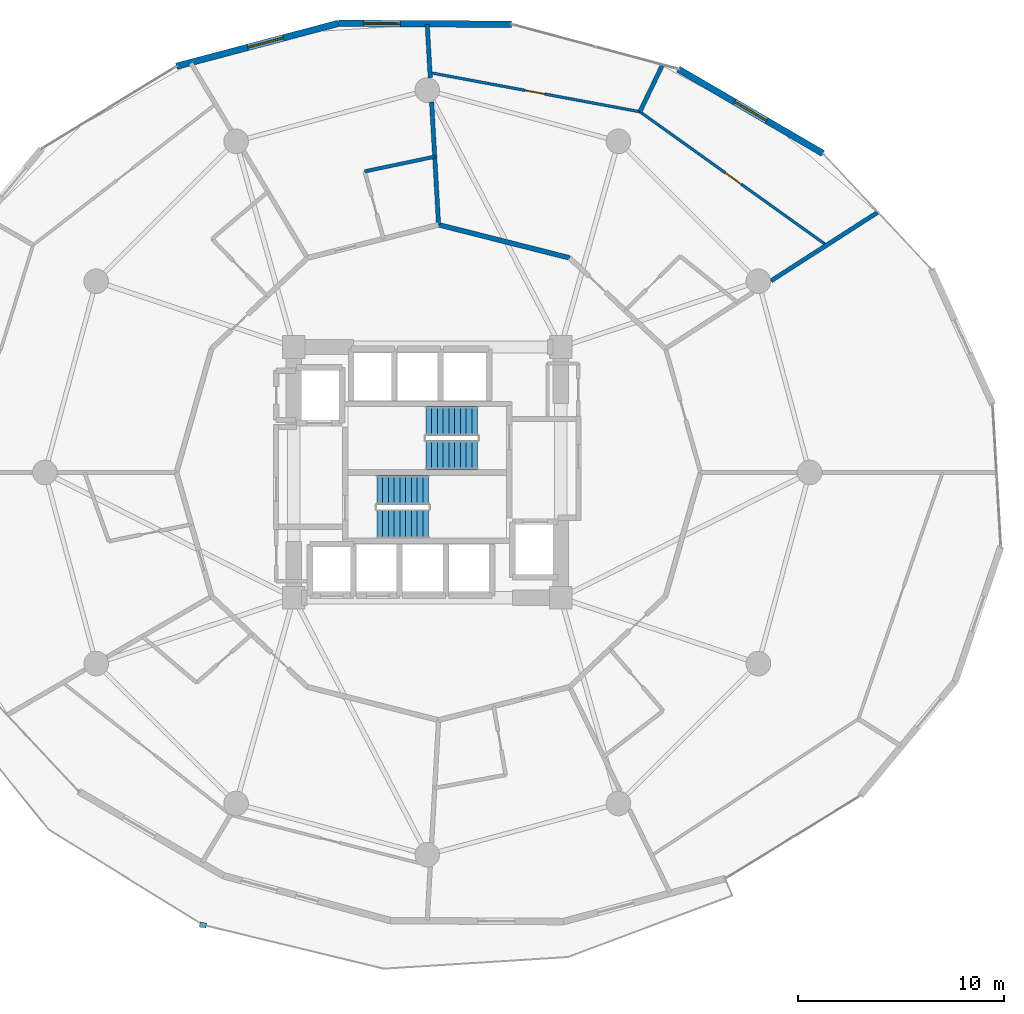
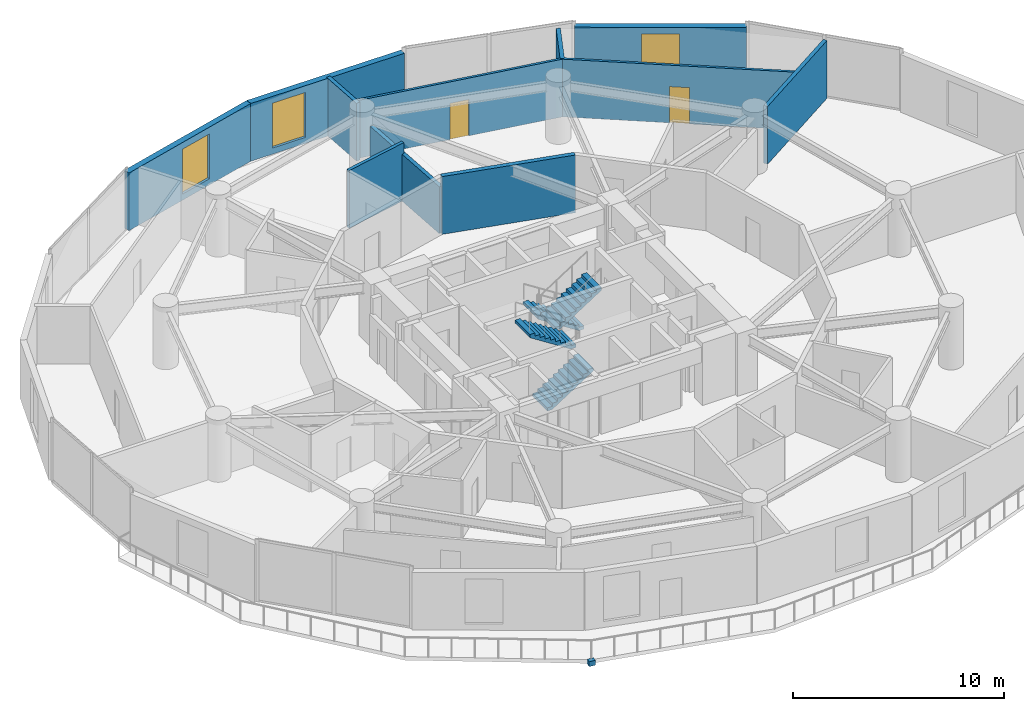
# One storey, part 20 of 23: 11 walls, 4 stair flights, 3 windows, 2 doors, 1 discrete accessory, 5 openings, 2 elements without a shape of their own.
"""IFC4 building model written with IfcOpenShell, lengths in metres."""

from ifc_helpers import new_model, si_unit, direction, frame, frame_2d, origin, origin_2d, place, context, subcontext, project, spatial, polyline, rectangle, outline, extrude, material, layer, layer_set, type_object, element, fill, aggregate, save


model = new_model("IFC4")

# Units and contexts
model_context = context("Model", 3, precision=1e-05, world=origin(), true_north=direction((0.0, 1.0)))
body_context = subcontext(model_context, "Body", "Model", "MODEL_VIEW")
ifc_project = project(units=[si_unit("LENGTHUNIT", "METRE"), si_unit("AREAUNIT", "SQUARE_METRE"), si_unit("VOLUMEUNIT", "CUBIC_METRE"), si_unit("PLANEANGLEUNIT", "RADIAN"), si_unit("MASSUNIT", "GRAM", prefix="KILO")], contexts=[model_context])

# Site, building, storey
site_placement = place(None, origin())
site = spatial("IfcSite", under=ifc_project, at=site_placement, CompositionType="ELEMENT")
building_placement = place(site_placement, origin())
building = spatial("IfcBuilding", under=site, at=building_placement, Name="Solvirekh Grand Hotel", CompositionType="ELEMENT")
storey_placement = place(building_placement, frame((0.0, 0.0, 39.199951171875)))
storey = spatial("IfcBuildingStorey", under=building, at=storey_placement, Name="L08", CompositionType="ELEMENT", Elevation=39.199951171875)

# Wall, opening, window
ifc_material_1 = material(Name="Precast concrete C45/55", Category="concrete")
ifc_layer_1 = layer(ifc_material_1, 0.320068359375)
ifc_layer_set_1 = layer_set([ifc_layer_1], Name="Precast concrete C45/55")
wall_type_1 = type_object("IfcWallType", Name="ExtLobbyWall_RC320", PredefinedType="SOLIDWALL", material=ifc_layer_set_1)
wall_1_placement = place(storey_placement, frame((12.215087890625, 19.62109375, 0.0), z_axis=(0.0, 0.0, 1.0), x_axis=(0.864004822612, -0.503483531512, 0.0)))
wall_1 = element("IfcWall", 1, at=wall_1_placement, inside=storey, type_object=wall_type_1, Name="L08 exterior structural wall chord 4", PredefinedType="SOLIDWALL", context=body_context, shape_type="SweptSolid", body=[
    extrude(rectangle(XDim=8.149169921875, YDim=0.320068359375, at=frame_2d((4.07470703125, 0.0))), origin(), (0.0, 0.0, 1.0), 3.340087890625),
])
opening_1_placement = place(wall_1_placement, frame((3.175048828125, 0.0, 0.35009765625)))
opening_1 = element("IfcOpeningElement", 2, at=opening_1_placement, cuts=wall_1, Name="Opening W02", PredefinedType="OPENING", context=body_context, shape_type="SweptSolid", body=[
    extrude(rectangle(XDim=1.800048828125, YDim=2.60009765625, at=frame_2d((0.89990234375, 1.300048828125))), frame((0.0, 0.169921875, 0.0), z_axis=(0.0, -1.0, 0.0), x_axis=(1.0, 0.0, 0.0)), (0.0, 0.0, 1.0), 0.340087890625),
])
ifc_material_2 = material(Name="Low-E Tinted Bronze Laminated Glass", Category="aluminium")
window_type = type_object("IfcWindowType", Name="Win_LobbyExt_1800X2600", PartitioningType="SINGLE_PANEL", PredefinedType="WINDOW", material=ifc_material_2)
window_1_placement = place(opening_1_placement, origin())
window_1 = element("IfcWindow", 3, at=window_1_placement, inside=storey, type_object=window_type, Name="L08 panoramic bronze-framed window 4", OverallHeight=2.60009765625, OverallWidth=1.800048828125, PartitioningType="SINGLE_PANEL", PredefinedType="WINDOW", context=body_context, shape_type="SweptSolid", body=[
    extrude(rectangle(XDim=1.800048828125, YDim=2.60009765625, at=frame_2d((0.89990234375, 1.300048828125))), frame((0.0, 0.030029296875, 0.0), z_axis=(0.0, -1.0, 0.0), x_axis=(1.0, 0.0, 0.0)), (0.0, 0.0, 1.0), 0.06005859375),
])
fill(opening_1, window_1)

wall_2_placement = place(storey_placement, frame((-4.322021484375, 21.85107421875, 0.0), z_axis=(0.0, 0.0, 1.0), x_axis=(0.999983655859, -0.005717343284, 0.0)))
wall_2 = element("IfcWall", 4, at=wall_2_placement, inside=storey, type_object=wall_type_1, Name="L08 exterior structural wall chord 6", PredefinedType="SOLIDWALL", context=body_context, shape_type="SweptSolid", body=[
    extrude(rectangle(XDim=8.412353515625, YDim=0.320068359375, at=frame_2d((4.2060546875, 0.0))), origin(), (0.0, 0.0, 1.0), 3.340087890625),
])
opening_2_placement = place(wall_2_placement, frame((1.2109375, 0.0, 0.35009765625)))
opening_2 = element("IfcOpeningElement", 5, at=opening_2_placement, cuts=wall_2, Name="Opening W02", PredefinedType="OPENING", context=body_context, shape_type="SweptSolid", body=[
    extrude(rectangle(XDim=1.800048828125, YDim=2.60009765625, at=frame_2d((0.89990234375, 1.300048828125))), frame((0.0, 0.169921875, 0.0), z_axis=(0.0, -1.0, 0.0), x_axis=(1.0, 0.0, 0.0)), (0.0, 0.0, 1.0), 0.340087890625),
])
window_2_placement = place(opening_2_placement, origin())
window_2 = element("IfcWindow", 6, at=window_2_placement, inside=storey, type_object=window_type, Name="L08 panoramic bronze-framed window 6", OverallHeight=2.60009765625, OverallWidth=1.800048828125, PartitioningType="SINGLE_PANEL", PredefinedType="WINDOW", context=body_context, shape_type="SweptSolid", body=[
    extrude(rectangle(XDim=1.800048828125, YDim=2.60009765625, at=frame_2d((0.89990234375, 1.300048828125))), frame((0.0, 0.030029296875, 0.0), z_axis=(0.0, -1.0, 0.0), x_axis=(1.0, 0.0, 0.0)), (0.0, 0.0, 1.0), 0.06005859375),
])
fill(opening_2, window_2)

wall_3_placement = place(storey_placement, frame((-12.198974609375, 19.760009765625, 0.0), z_axis=(0.0, 0.0, 1.0), x_axis=(0.966523209468, 0.256579199389, 0.0)))
wall_3 = element("IfcWall", 7, at=wall_3_placement, inside=storey, type_object=wall_type_1, Name="L08 exterior structural wall chord 7", PredefinedType="SOLIDWALL", context=body_context, shape_type="SweptSolid", body=[
    extrude(rectangle(XDim=8.14990234375, YDim=0.320068359375, at=frame_2d((4.074951171875, 0.0))), origin(), (0.0, 0.0, 1.0), 3.340087890625),
])
opening_3_placement = place(wall_3_placement, frame((3.583984375, 0.0, 0.35009765625)))
opening_3 = element("IfcOpeningElement", 8, at=opening_3_placement, cuts=wall_3, Name="Opening W02", PredefinedType="OPENING", context=body_context, shape_type="SweptSolid", body=[
    extrude(rectangle(XDim=1.800048828125, YDim=2.60009765625, at=frame_2d((0.89990234375, 1.300048828125))), frame((0.0, 0.169921875, 0.0), z_axis=(0.0, -1.0, 0.0), x_axis=(1.0, 0.0, 0.0)), (0.0, 0.0, 1.0), 0.340087890625),
])
window_3_placement = place(opening_3_placement, origin())
window_3 = element("IfcWindow", 9, at=window_3_placement, inside=storey, type_object=window_type, Name="L08 panoramic bronze-framed window 7", OverallHeight=2.60009765625, OverallWidth=1.800048828125, PartitioningType="SINGLE_PANEL", PredefinedType="WINDOW", context=body_context, shape_type="SweptSolid", body=[
    extrude(rectangle(XDim=1.800048828125, YDim=2.60009765625, at=frame_2d((0.89990234375, 1.300048828125))), frame((0.0, 0.030029296875, 0.0), z_axis=(0.0, -1.0, 0.0), x_axis=(1.0, 0.0, 0.0)), (0.0, 0.0, 1.0), 0.06005859375),
])
fill(opening_3, window_3)

# Wall
ifc_material_3 = material(Name="Acoustic Gypsum Partition Assembly")
ifc_layer_2 = layer(ifc_material_3, 0.239990234375)
ifc_layer_set_2 = layer_set([ifc_layer_2], Name="Acoustic Gypsum Partition Assembly")
wall_type_2 = type_object("IfcWallType", Name="Part_Corridor_240", PredefinedType="PARTITIONING", material=ifc_layer_set_2)
wall_4_placement = place(storey_placement, frame((6.925048828125, 10.43603515625, 0.0), z_axis=(0.0, 0.0, 1.0), x_axis=(-0.969413132073, 0.245434674331, 0.0)))
element("IfcWall", 10, at=wall_4_placement, inside=storey, type_object=wall_type_2, Name="L08 Executive Suite 1001 Living Room corridor wall 1", PredefinedType="PARTITIONING", context=body_context, shape_type="SweptSolid", body=[
    extrude(rectangle(XDim=6.576171875, YDim=0.239990234375, at=frame_2d((3.2880859375, 0.0))), origin(), (0.0, 0.0, 1.0), 3.340087890625),
])

# Wall, opening, door
ifc_layer_3 = layer(ifc_material_3, 0.135009765625)
ifc_layer_set_3 = layer_set([ifc_layer_3], Name="Acoustic Gypsum Partition Assembly")
wall_type_3 = type_object("IfcWallType", Name="Part_RoomInt_135", PredefinedType="PARTITIONING", material=ifc_layer_set_3)
wall_5_placement = place(storey_placement, frame((19.425048828125, 11.054931640625, 0.0), z_axis=(0.0, 0.0, 1.0), x_axis=(-0.813402257194, 0.581701614224, 0.0)))
wall_5 = element("IfcWall", 11, at=wall_5_placement, inside=storey, type_object=wall_type_3, Name="L08 Executive Suite 1001 Living Room bedroom screen wall", PredefinedType="PARTITIONING", context=body_context, shape_type="SweptSolid", body=[
    extrude(rectangle(XDim=11.16064453125, YDim=0.135009765625, at=frame_2d((5.580322265625, 0.0))), origin(), (0.0, 0.0, 1.0), 3.340087890625),
])
opening_4_placement = place(wall_5_placement, frame((5.10498046875, 0.0, 0.0)))
opening_4 = element("IfcOpeningElement", 12, at=opening_4_placement, cuts=wall_5, Name="Opening D10", PredefinedType="OPENING", context=body_context, shape_type="SweptSolid", body=[
    extrude(rectangle(XDim=0.949951171875, YDim=2.10009765625, at=frame_2d((0.47509765625, 1.050048828125))), frame((0.0, 0.07763671875, 0.0), z_axis=(0.0, -1.0, 0.0), x_axis=(1.0, 0.0, 0.0)), (0.0, 0.0, 1.0), 0.155029296875),
])
ifc_material_4 = material(Name="Anodized Bronze Aluminium 6063-T6", Category="aluminium")
door_type = type_object("IfcDoorType", Name="Door_RoomInt_950X2100", OperationType="NOTDEFINED", PredefinedType="DOOR", material=ifc_material_4)
door_1_placement = place(opening_4_placement, origin())
door_1 = element("IfcDoor", 13, at=door_1_placement, inside=storey, type_object=door_type, Name="L08 Executive Suite 1001 Living Room master bedroom door", OperationType="SINGLE_SWING_LEFT", OverallHeight=2.10009765625, OverallWidth=0.949951171875, PredefinedType="DOOR", context=body_context, shape_type="SweptSolid", body=[
    extrude(rectangle(XDim=0.949951171875, YDim=2.10009765625, at=frame_2d((0.47509765625, 1.050048828125))), frame((0.0, 0.02490234375, 0.0), z_axis=(0.0, -1.0, 0.0), x_axis=(1.0, 0.0, 0.0)), (0.0, 0.0, 1.0), 0.050048828125),
])
fill(opening_4, door_1)

wall_6_placement = place(storey_placement, frame((10.346923828125, 17.547119140625, 0.0), z_axis=(0.0, 0.0, 1.0), x_axis=(-0.983105475238, 0.183039953444, 0.0)))
wall_6 = element("IfcWall", 14, at=wall_6_placement, inside=storey, type_object=wall_type_3, Name="L08 Executive Suite 1001 Panorama Suite Study bedroom screen wall", PredefinedType="PARTITIONING", context=body_context, shape_type="SweptSolid", body=[
    extrude(rectangle(XDim=10.390380859375, YDim=0.135009765625, at=frame_2d((5.1953125, 0.0))), origin(), (0.0, 0.0, 1.0), 3.340087890625),
])
opening_5_placement = place(wall_6_placement, frame((4.719970703125, 0.0, 0.0)))
opening_5 = element("IfcOpeningElement", 15, at=opening_5_placement, cuts=wall_6, Name="Opening D10", PredefinedType="OPENING", context=body_context, shape_type="SweptSolid", body=[
    extrude(rectangle(XDim=0.949951171875, YDim=2.10009765625, at=frame_2d((0.47509765625, 1.050048828125))), frame((0.0, 0.07763671875, 0.0), z_axis=(0.0, -1.0, 0.0), x_axis=(1.0, 0.0, 0.0)), (0.0, 0.0, 1.0), 0.155029296875),
])
door_2_placement = place(opening_5_placement, origin())
door_2 = element("IfcDoor", 16, at=door_2_placement, inside=storey, type_object=door_type, Name="L08 Executive Suite 1001 Panorama Suite Study master bedroom door", OperationType="SINGLE_SWING_RIGHT", OverallHeight=2.10009765625, OverallWidth=0.949951171875, PredefinedType="DOOR", context=body_context, shape_type="SweptSolid", body=[
    extrude(rectangle(XDim=0.949951171875, YDim=2.10009765625, at=frame_2d((0.47509765625, 1.050048828125))), frame((0.0, 0.02490234375, 0.0), z_axis=(0.0, -1.0, 0.0), x_axis=(1.0, 0.0, 0.0)), (0.0, 0.0, 1.0), 0.050048828125),
])
fill(opening_5, door_2)

# Walls
ifc_layer_4 = layer(ifc_material_3, 0.2099609375)
ifc_layer_set_4 = layer_set([ifc_layer_4], Name="Acoustic Gypsum Partition Assembly")
wall_type_4 = type_object("IfcWallType", Name="Part_SuiteDemise_210", PredefinedType="PARTITIONING", material=ifc_layer_set_4)
wall_7_placement = place(storey_placement, frame((16.72802734375, 9.322998046875, 0.0), z_axis=(0.0, 0.0, 1.0), x_axis=(0.841434006825, 0.54035989133, 0.0)))
element("IfcWall", 17, at=wall_7_placement, inside=storey, type_object=wall_type_4, Name="L08 suite radial wall 2 (B)", PredefinedType="PARTITIONING", context=body_context, shape_type="SweptSolid", body=[
    extrude(rectangle(XDim=6.144287109375, YDim=0.2099609375, at=frame_2d((3.072265625, 0.0))), origin(), (0.0, 0.0, 1.0), 3.340087890625),
])
wall_8_placement = place(storey_placement, frame((0.550048828125, 12.050048828125, 0.0), z_axis=(0.0, 0.0, 1.0), x_axis=(-0.056404232662, 0.998408014059, 0.0)))
element("IfcWall", 18, at=wall_8_placement, inside=storey, type_object=wall_type_4, Name="L08 suite radial wall 4 (A)", PredefinedType="PARTITIONING", context=body_context, shape_type="SweptSolid", body=[
    extrude(rectangle(XDim=5.9775390625, YDim=0.2099609375, at=frame_2d((2.98876953125, 0.0))), origin(), (0.0, 0.0, 1.0), 2.708984375),
])
wall_9_placement = place(storey_placement, frame((0.14599609375, 19.202880859375, 0.0), z_axis=(0.0, 0.0, 1.0), x_axis=(-0.056431669685, 0.998406463649, 0.0)))
element("IfcWall", 19, at=wall_9_placement, inside=storey, type_object=wall_type_4, Name="L08 suite radial wall 4 (B)", PredefinedType="PARTITIONING", context=body_context, shape_type="SweptSolid", body=[
    extrude(rectangle(XDim=2.587158203125, YDim=0.2099609375, at=frame_2d((1.29345703125, 0.0))), origin(), (0.0, 0.0, 1.0), 3.340087890625),
])
wall_10_placement = place(storey_placement, frame((10.346923828125, 17.547119140625, 0.0), z_axis=(0.0, 0.0, 1.0), x_axis=(0.433406141617, 0.901198710834, 0.0)))
element("IfcWall", 20, at=wall_10_placement, inside=storey, type_object=wall_type_4, Name="L08 Executive Suite 1001 Living Room dividing partition 1", PredefinedType="PARTITIONING", context=body_context, shape_type="SweptSolid", body=[
    extrude(rectangle(XDim=2.4921875, YDim=0.2099609375, at=frame_2d((1.24609375, 0.0))), origin(), (0.0, 0.0, 1.0), 3.340087890625),
])
ifc_layer_5 = layer(ifc_material_3, 0.175048828125)
ifc_layer_set_5 = layer_set([ifc_layer_5], Name="Acoustic Gypsum Partition Assembly")
wall_type_5 = type_object("IfcWallType", Name="Plumb_Ensuite_175", PredefinedType="PLUMBINGWALL", material=ifc_layer_set_5)
wall_11_placement = place(storey_placement, frame((0.363037109375, 15.360107421875, 0.0), z_axis=(0.0, 0.0, 1.0), x_axis=(-0.978687186143, -0.205356742475, 0.0)))
element("IfcWall", 21, at=wall_11_placement, inside=storey, type_object=wall_type_5, Name="L08 En-suite Bathroom 1002 outer plumbing wall", PredefinedType="PLUMBINGWALL", context=body_context, shape_type="SweptSolid", body=[
    extrude(rectangle(XDim=3.482177734375, YDim=0.175048828125, at=frame_2d((1.7412109375, 0.0))), origin(), (0.0, 0.0, 1.0), 3.340087890625),
])

# Stair, stair flights
ifc_material_5 = material(Name="Concrete C40/50", Category="concrete")
stair_type = type_object("IfcStairType", Name="Stair_Core_1450", PredefinedType="HALF_TURN_STAIR", material=ifc_material_5)
stair_1_placement = place(storey_placement, origin())
stair_1 = element("IfcStair", 22, at=stair_1_placement, inside=storey, type_object=stair_type, Name="L08 Enclosed exit stair ST-1", PredefinedType="HALF_TURN_STAIR")
stair_flight_type = type_object("IfcStairFlightType", Name="Flight_Core_1450", PredefinedType="STRAIGHT", material=ifc_material_5)
stair_flight_1_placement = place(storey_placement, frame((-2.449951171875, -2.5, 0.0), z_axis=(0.0, 0.0, 1.0), x_axis=(1.0, 0.0, 0.0)))
stair_flight_1 = element("IfcStairFlight", 23, at=stair_flight_1_placement, type_object=stair_flight_type, Name="ST-1 flight 1", NumberOfRisers=10, NumberOfTreads=9, PredefinedType="STRAIGHT", RiserHeight=0.18, TreadLength=0.28, context=body_context, shape_type="SweptSolid", body=[
    extrude(outline(polyline([(0.0, 0.0), (0.0, 0.179931640625), (0.280029296875, 0.179931640625), (0.280029296875, 0.360107421875), (0.56005859375, 0.360107421875), (0.56005859375, 0.5400390625), (0.840087890625, 0.5400390625), (0.840087890625, 0.719970703125), (1.1201171875, 0.719970703125), (1.1201171875, 0.89990234375), (1.39990234375, 0.89990234375), (1.39990234375, 1.080078125), (1.679931640625, 1.080078125), (1.679931640625, 1.260009765625), (1.9599609375, 1.260009765625), (1.9599609375, 1.43994140625), (2.239990234375, 1.43994140625), (2.239990234375, 1.6201171875), (2.52001953125, 1.6201171875), (2.52001953125, 1.800048828125), (2.52001953125, 1.44189453125), (0.277099609375, 0.0), (0.0, 0.0)])), frame((0.0, 0.699951171875, 0.0), z_axis=(0.0, -1.0, 0.0), x_axis=(1.0, 0.0, 0.0)), (0.0, 0.0, 1.0), 1.39990234375),
])
stair_flight_2_placement = place(storey_placement, frame((0.070068359375, -0.85009765625, 1.800048828125), z_axis=(0.0, 0.0, 1.0), x_axis=(-1.0, 0.0, 0.0)))
stair_flight_2 = element("IfcStairFlight", 24, at=stair_flight_2_placement, type_object=stair_flight_type, Name="ST-1 flight 2", NumberOfRisers=10, NumberOfTreads=9, PredefinedType="STRAIGHT", RiserHeight=0.18, TreadLength=0.28, context=body_context, shape_type="SweptSolid", body=[
    extrude(outline(polyline([(0.0, 0.0), (0.0, 0.179931640625), (0.280029296875, 0.179931640625), (0.280029296875, 0.360107421875), (0.56005859375, 0.360107421875), (0.56005859375, 0.5400390625), (0.840087890625, 0.5400390625), (0.840087890625, 0.719970703125), (1.1201171875, 0.719970703125), (1.1201171875, 0.89990234375), (1.39990234375, 0.89990234375), (1.39990234375, 1.080078125), (1.679931640625, 1.080078125), (1.679931640625, 1.260009765625), (1.9599609375, 1.260009765625), (1.9599609375, 1.43994140625), (2.239990234375, 1.43994140625), (2.239990234375, 1.6201171875), (2.52001953125, 1.6201171875), (2.52001953125, 1.800048828125), (2.52001953125, 1.44189453125), (0.277099609375, 0.0), (0.0, 0.0)])), frame((0.0, 0.699951171875, 0.0), z_axis=(0.0, -1.0, 0.0), x_axis=(1.0, 0.0, 0.0)), (0.0, 0.0, 1.0), 1.39990234375),
])
aggregate(stair_1, [stair_flight_1, stair_flight_2])

stair_2_placement = place(storey_placement, origin())
stair_2 = element("IfcStair", 25, at=stair_2_placement, inside=storey, type_object=stair_type, Name="L08 Enclosed exit stair ST-2", PredefinedType="HALF_TURN_STAIR")
stair_flight_3_placement = place(storey_placement, frame((2.449951171875, 2.5, 0.0), z_axis=(0.0, 0.0, 1.0), x_axis=(-1.0, 0.0, 0.0)))
stair_flight_3 = element("IfcStairFlight", 26, at=stair_flight_3_placement, type_object=stair_flight_type, Name="ST-2 flight 1", NumberOfRisers=10, NumberOfTreads=9, PredefinedType="STRAIGHT", RiserHeight=0.18, TreadLength=0.28, context=body_context, shape_type="SweptSolid", body=[
    extrude(outline(polyline([(0.0, 0.0), (0.0, 0.179931640625), (0.280029296875, 0.179931640625), (0.280029296875, 0.360107421875), (0.56005859375, 0.360107421875), (0.56005859375, 0.5400390625), (0.840087890625, 0.5400390625), (0.840087890625, 0.719970703125), (1.1201171875, 0.719970703125), (1.1201171875, 0.89990234375), (1.39990234375, 0.89990234375), (1.39990234375, 1.080078125), (1.679931640625, 1.080078125), (1.679931640625, 1.260009765625), (1.9599609375, 1.260009765625), (1.9599609375, 1.43994140625), (2.239990234375, 1.43994140625), (2.239990234375, 1.6201171875), (2.52001953125, 1.6201171875), (2.52001953125, 1.800048828125), (2.52001953125, 1.44189453125), (0.277099609375, 0.0), (0.0, 0.0)])), frame((0.0, 0.699951171875, 0.0), z_axis=(0.0, -1.0, 0.0), x_axis=(1.0, 0.0, 0.0)), (0.0, 0.0, 1.0), 1.39990234375),
])
stair_flight_4_placement = place(storey_placement, frame((-0.070068359375, 0.85009765625, 1.800048828125), z_axis=(0.0, 0.0, 1.0), x_axis=(1.0, 0.0, 0.0)))
stair_flight_4 = element("IfcStairFlight", 27, at=stair_flight_4_placement, type_object=stair_flight_type, Name="ST-2 flight 2", NumberOfRisers=10, NumberOfTreads=9, PredefinedType="STRAIGHT", RiserHeight=0.18, TreadLength=0.28, context=body_context, shape_type="SweptSolid", body=[
    extrude(outline(polyline([(0.0, 0.0), (0.0, 0.179931640625), (0.280029296875, 0.179931640625), (0.280029296875, 0.360107421875), (0.56005859375, 0.360107421875), (0.56005859375, 0.5400390625), (0.840087890625, 0.5400390625), (0.840087890625, 0.719970703125), (1.1201171875, 0.719970703125), (1.1201171875, 0.89990234375), (1.39990234375, 0.89990234375), (1.39990234375, 1.080078125), (1.679931640625, 1.080078125), (1.679931640625, 1.260009765625), (1.9599609375, 1.260009765625), (1.9599609375, 1.43994140625), (2.239990234375, 1.43994140625), (2.239990234375, 1.6201171875), (2.52001953125, 1.6201171875), (2.52001953125, 1.800048828125), (2.52001953125, 1.44189453125), (0.277099609375, 0.0), (0.0, 0.0)])), frame((0.0, 0.699951171875, 0.0), z_axis=(0.0, -1.0, 0.0), x_axis=(1.0, 0.0, 0.0)), (0.0, 0.0, 1.0), 1.39990234375),
])
aggregate(stair_2, [stair_flight_3, stair_flight_4])

# Discrete accessory
ifc_material_6 = material(Name="Steel S355", Category="steel")
discrete_accessory_type = type_object("IfcDiscreteAccessoryType", Name="Acc_ThermalBracket", PredefinedType="BRACKET", material=ifc_material_6)
discrete_accessory_placement = place(storey_placement, frame((-10.909912109375, -22.02197265625, -0.27978515625), z_axis=(0.0, 0.0, 1.0), x_axis=(0.990983199715, -0.133986185418, 0.0)))
element("IfcDiscreteAccessory", 28, at=discrete_accessory_placement, inside=storey, type_object=discrete_accessory_type, Name="L08 balcony thermal-break bracket", PredefinedType="BRACKET", context=body_context, shape_type="SweptSolid", body=[
    extrude(rectangle(XDim=0.320068359375, YDim=0.239990234375, at=origin_2d()), origin(), (0.0, 0.0, 1.0), 0.280029296875),
])

save(model, "model.ifc")
